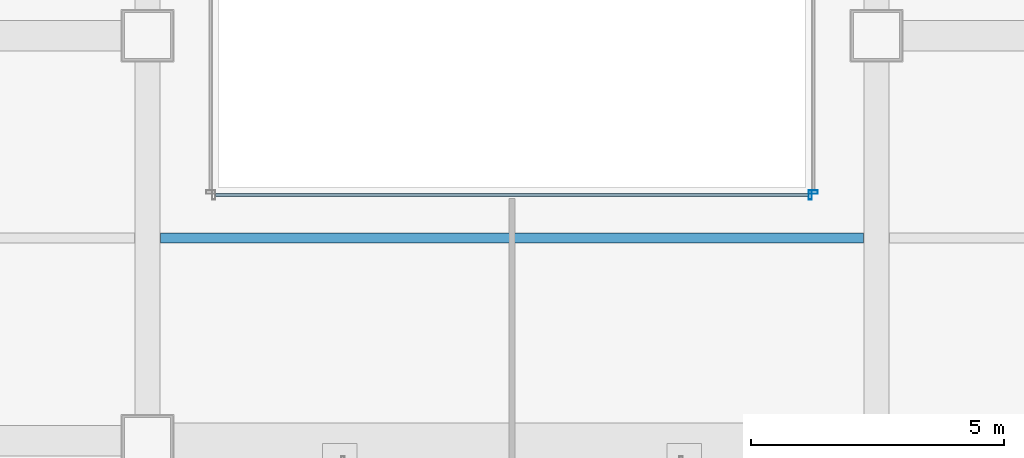
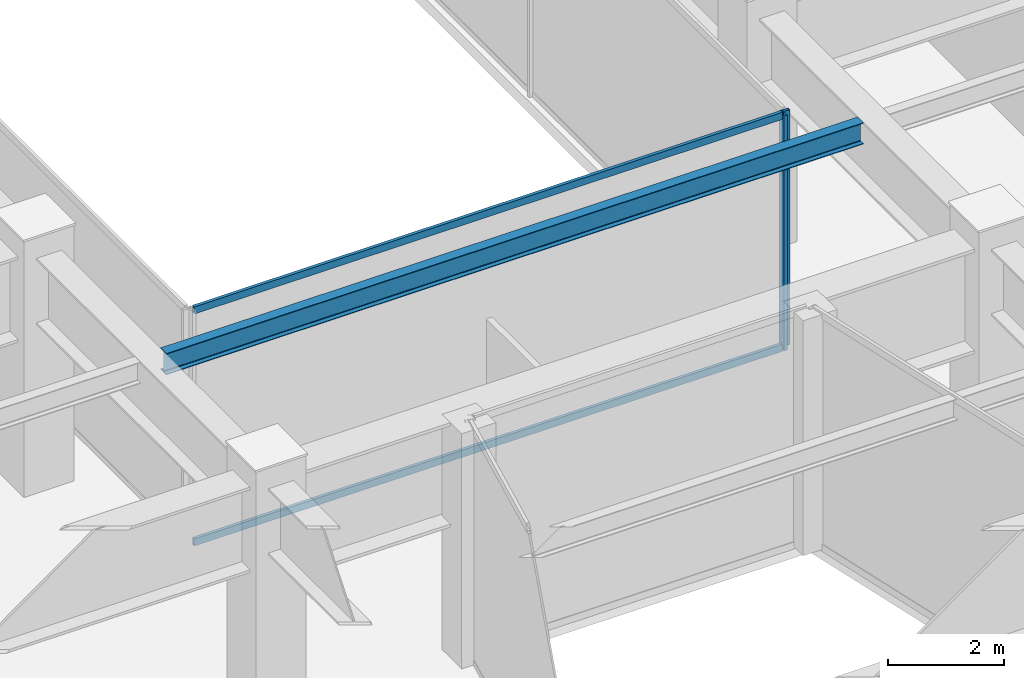
# One storey, part 16 of 42: 4 members, 1 beam, 2 elements without a shape of their own.
"""IFC4 building model written with IfcOpenShell, lengths in metres."""

from ifc_helpers import new_model, si_unit, direction, frame, origin, origin_2d, place, context, subcontext, project, spatial, hollow_rectangle, i_section, extrude, material, material_profile, profile_set, type_object, element, aggregate, save


model = new_model("IFC4")

# Units and contexts
model_context = context("Model", 3, precision=1e-05, world=origin(), true_north=direction((0.0, 1.0)))
body_context = subcontext(model_context, "Body", "Model", "MODEL_VIEW")
ifc_project = project(units=[si_unit("LENGTHUNIT", "METRE"), si_unit("AREAUNIT", "SQUARE_METRE"), si_unit("VOLUMEUNIT", "CUBIC_METRE"), si_unit("PLANEANGLEUNIT", "RADIAN"), si_unit("MASSUNIT", "GRAM", prefix="KILO")], contexts=[model_context])

# Site, building, storey
site_placement = place(None, origin())
site = spatial("IfcSite", under=ifc_project, at=site_placement, CompositionType="ELEMENT")
building_placement = place(site_placement, origin())
building = spatial("IfcBuilding", under=site, at=building_placement, Name="Saevonmaru Cultural Tower", CompositionType="ELEMENT")
storey_placement = place(building_placement, frame((0.0, 0.0, 33.0)))
storey = spatial("IfcBuildingStorey", under=building, at=storey_placement, Name="L06", CompositionType="ELEMENT", Elevation=33.0)

# Beam
ifc_material_1 = material(Name="Steel SM355", Category="steel")
ifc_material_profile_1 = material_profile(ifc_material_1, i_section(OverallWidth=0.199951171875, OverallDepth=0.449951171875, WebThickness=0.009033203125, FlangeThickness=0.013916015625, FilletRadius=0.01806640625, at=origin_2d()), Name="H-450x200x9x14")
ifc_profile_set_1 = profile_set([ifc_material_profile_1], Name="Steel SM355")
beam_type = type_object("IfcBeamType", Name="BM-J-H450", PredefinedType="JOIST", material=ifc_profile_set_1)
beam_placement = place(storey_placement, frame((23.05810546875, 20.0, 4.72509765625), z_axis=(1.0, 0.0, 0.0), x_axis=(0.0, 1.0, 0.0)))
element("IfcBeam", 1, at=beam_placement, inside=storey, type_object=beam_type, Name="L06 Secondary Floor Joist JC-2", PredefinedType="JOIST", context=body_context, shape_type="SweptSolid", body=[
    extrude(i_section(OverallWidth=0.199951171875, OverallDepth=0.449951171875, WebThickness=0.009033203125, FlangeThickness=0.013916015625, FilletRadius=0.01806640625, at=origin_2d()), origin(), (0.0, 0.0, 1.0), 13.8837890625),
])

# Curtain wall, member
ifc_material_2 = material(Name="Satin Bronze Anodised Aluminium", Category="aluminium")
curtain_wall_type = type_object("IfcCurtainWallType", Name="CW-ATR-GLZ", PredefinedType="NOTDEFINED", material=ifc_material_2)
curtain_wall_1_placement = place(storey_placement, origin())
curtain_wall_1 = element("IfcCurtainWall", 2, at=curtain_wall_1_placement, inside=storey, type_object=curtain_wall_type, Name="L06 Vertical Atrium Glazed Smoke Screen 1", PredefinedType="NOTDEFINED")
ifc_material_profile_2 = material_profile(ifc_material_2, hollow_rectangle(XDim=0.06494140625, YDim=0.179931640625, WallThickness=0.00390625, at=origin_2d()), Name="ALU-MULL-180x65x4")
ifc_profile_set_2 = profile_set([ifc_material_profile_2], Name="Satin Bronze Anodised Aluminium")
member_type_1 = type_object("IfcMemberType", Name="ML-CW-INT-180x65", PredefinedType="MULLION", material=ifc_profile_set_2)
member_1_placement = place(storey_placement, frame((35.889892578125, 20.85009765625, 0.0), z_axis=(0.0, 0.0, 1.0), x_axis=(1.0, 0.0, 0.0)))
member_1 = element("IfcMember", 3, at=member_1_placement, type_object=member_type_1, Name="CW-ATR-L06-1 mullion 2", PredefinedType="MULLION", context=body_context, shape_type="SweptSolid", body=[
    extrude(hollow_rectangle(XDim=0.06494140625, YDim=0.179931640625, WallThickness=0.00390625, at=origin_2d()), origin(), (0.0, 0.0, 1.0), 4.949951171875),
])

curtain_wall_2_placement = place(storey_placement, origin())
curtain_wall_2 = element("IfcCurtainWall", 4, at=curtain_wall_2_placement, inside=storey, type_object=curtain_wall_type, Name="L06 Vertical Atrium Glazed Smoke Screen 2", PredefinedType="NOTDEFINED")
member_2_placement = place(storey_placement, frame((35.949951171875, 20.909912109375, 0.0), z_axis=(0.0, 0.0, 1.0), x_axis=(0.0, 1.0, 0.0)))
member_2 = element("IfcMember", 5, at=member_2_placement, type_object=member_type_1, Name="CW-ATR-L06-2 mullion 1", PredefinedType="MULLION", context=body_context, shape_type="SweptSolid", body=[
    extrude(hollow_rectangle(XDim=0.06494140625, YDim=0.179931640625, WallThickness=0.00390625, at=origin_2d()), origin(), (0.0, 0.0, 1.0), 4.949951171875),
])
aggregate(curtain_wall_2, [member_2])

# Member
ifc_material_profile_3 = material_profile(ifc_material_2, hollow_rectangle(XDim=0.06494140625, YDim=0.14990234375, WallThickness=0.00390625, at=origin_2d()), Name="ALU-TRAN-150x65x4")
ifc_profile_set_3 = profile_set([ifc_material_profile_3], Name="Satin Bronze Anodised Aluminium")
member_type_2 = type_object("IfcMemberType", Name="TR-CW-INT-150x65", PredefinedType="USERDEFINED", material=ifc_profile_set_3)
member_3_placement = place(storey_placement, frame((24.142578125, 20.85009765625, 0.032470703125), z_axis=(1.0, 0.0, 0.0), x_axis=(0.0, 1.0, 0.0)))
member_3 = element("IfcMember", 6, at=member_3_placement, type_object=member_type_2, Name="CW-ATR-L06-1 transom 1.1", ObjectType="TRANSOM", PredefinedType="USERDEFINED", context=body_context, shape_type="SweptSolid", body=[
    extrude(hollow_rectangle(XDim=0.06494140625, YDim=0.14990234375, WallThickness=0.00390625, at=origin_2d()), origin(), (0.0, 0.0, 1.0), 11.71484375),
])

member_4_placement = place(storey_placement, frame((24.142578125, 20.85009765625, 4.91748046875), z_axis=(1.0, 0.0, 0.0), x_axis=(0.0, 1.0, 0.0)))
member_4 = element("IfcMember", 7, at=member_4_placement, type_object=member_type_2, Name="CW-ATR-L06-1 transom 1.2", ObjectType="TRANSOM", PredefinedType="USERDEFINED", context=body_context, shape_type="SweptSolid", body=[
    extrude(hollow_rectangle(XDim=0.06494140625, YDim=0.14990234375, WallThickness=0.00390625, at=origin_2d()), origin(), (0.0, 0.0, 1.0), 11.71484375),
])

aggregate(curtain_wall_1, [member_1, member_3, member_4])

save(model, "model.ifc")
